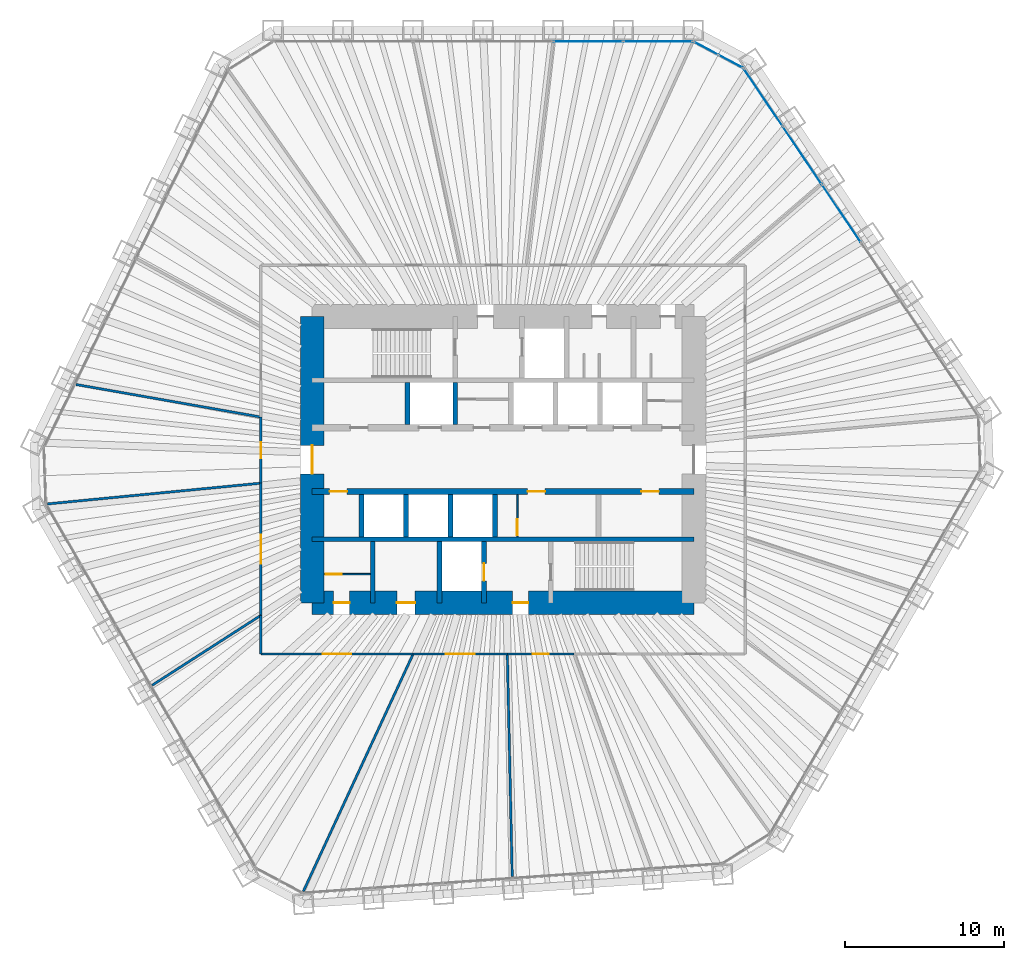
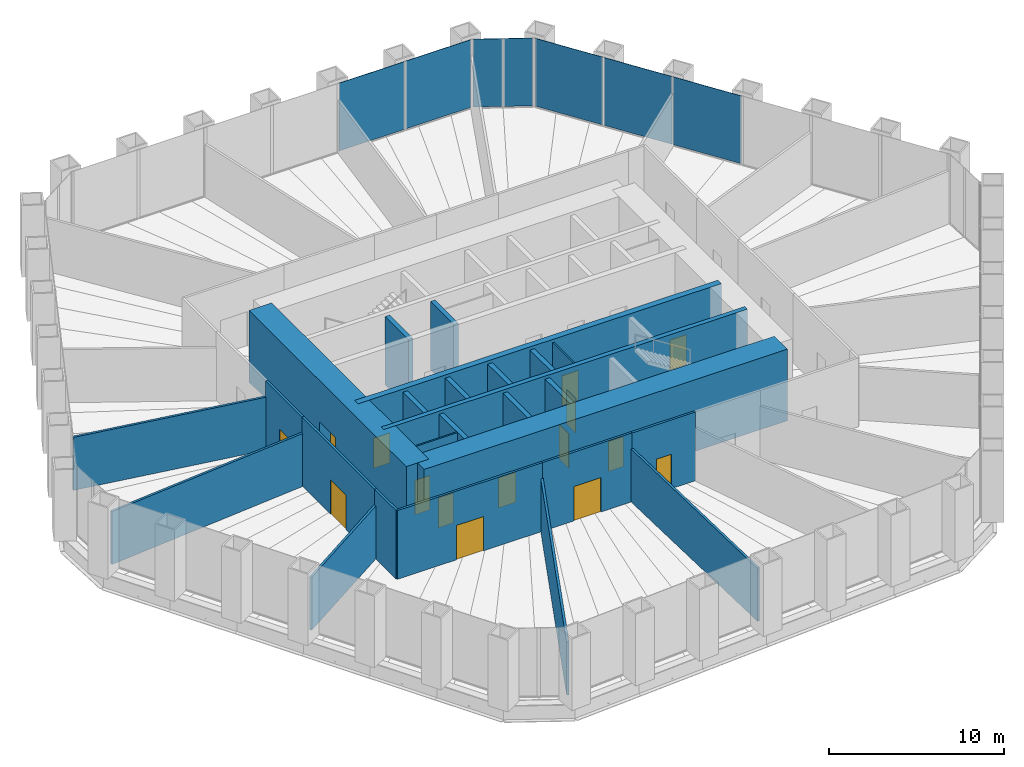
# One storey, part 10 of 13: 26 walls, 15 doors, 7 plates, 15 openings, 3 elements without a shape of their own.
"""IFC4 building model written with IfcOpenShell, lengths in metres."""

import ifcopenshell
import ifcopenshell.guid

model = None  # the IFC model being written
_history = None  # IfcOwnerHistory: only IFC2X3 demands one
_inside = {}  # id of a spatial element -> (the spatial element, [elements in it])
_under = {}  # id of a project, library or spatial element -> (it, [spatial elements below it])
_declared = {}  # id of a project -> (the project, [libraries it declares])
_typed = {}  # id of a type object -> (the type object, [elements of that type])
_made_of = {}  # id of a material, layer set ... -> (it, [elements and type objects made of it])


def new_model(schema):
    """Start an empty IFC model of exactly this schema.

    Asked for "IFC4X3", IfcOpenShell would pick the latest addendum, in which some entities
    have other attributes; the version numbers below select the first issue.
    IFC2X3 requires an IfcOwnerHistory on every rooted entity: one is made here for all.
    """
    global model, _history
    if schema == "IFC4X3":
        model = ifcopenshell.file(schema_version=(4, 3, 0, 0))
    else:
        model = ifcopenshell.file(schema=schema)
    _inside.clear()
    _under.clear()
    _declared.clear()
    _typed.clear()
    _made_of.clear()
    _history = None
    if model.schema == "IFC2X3":
        org = make("IfcOrganization", Name="unknown")
        user = make(
            "IfcPersonAndOrganization",
            ThePerson=make("IfcPerson", FamilyName="unknown"),
            TheOrganization=org,
        )
        app = make(
            "IfcApplication",
            ApplicationDeveloper=org,
            Version="unknown",
            ApplicationFullName="unknown",
            ApplicationIdentifier="unknown",
        )
        _history = make(
            "IfcOwnerHistory",
            OwningUser=user,
            OwningApplication=app,
            ChangeAction="ADDED",
            CreationDate=0,
        )
    return model


def make(cls, **values):
    """One entity of the class cls with the attributes given. An attribute that is None is left unset."""
    return model.create_entity(
        cls, **{name: value for name, value in values.items() if value is not None}
    )


def rooted(cls, **values):
    """An entity with a GlobalId (a new one), such as an element, a storey or a relation."""
    return make(cls, GlobalId=ifcopenshell.guid.new(), OwnerHistory=_history, **values)


def si_unit(unit_type, name, prefix=None):
    """IfcSIUnit, for example si_unit("LENGTHUNIT", "METRE", prefix="MILLI")."""
    return make("IfcSIUnit", UnitType=unit_type, Prefix=prefix, Name=name)


def assignment(units):
    """IfcUnitAssignment: the units of a project."""
    return None if units is None else make("IfcUnitAssignment", Units=units)


def point(xyz):
    """IfcCartesianPoint."""
    return None if xyz is None else make("IfcCartesianPoint", Coordinates=xyz)


def direction(xyz):
    """IfcDirection."""
    return None if xyz is None else make("IfcDirection", DirectionRatios=xyz)


def frame(location, z_axis=None, x_axis=None):
    """IfcAxis2Placement3D, a coordinate frame: its origin and axes. An axis left out is left unset."""
    return make(
        "IfcAxis2Placement3D",
        Location=point(location),
        Axis=direction(z_axis),
        RefDirection=direction(x_axis),
    )


def frame_2d(location, x_axis=None):
    """IfcAxis2Placement2D, a coordinate frame in the plane: its origin and x axis."""
    return make(
        "IfcAxis2Placement2D", Location=point(location), RefDirection=direction(x_axis)
    )


def origin():
    """The frame at (0, 0, 0) with its axes left unset."""
    return frame((0.0, 0.0, 0.0))


def origin_2d():
    """The frame at (0, 0) in the plane with its x axis left unset."""
    return frame_2d((0.0, 0.0))


def place(relative_to, where):
    """IfcLocalPlacement: puts the frame where relative to a parent placement (None: the world)."""
    return make(
        "IfcLocalPlacement", PlacementRelTo=relative_to, RelativePlacement=where
    )


def context(
    kind, dimensions, precision=None, world=None, true_north=None, identifier=None
):
    """IfcGeometricRepresentationContext, for example the 3D "Model" context."""
    return make(
        "IfcGeometricRepresentationContext",
        ContextIdentifier=identifier,
        ContextType=kind,
        CoordinateSpaceDimension=dimensions,
        Precision=precision,
        WorldCoordinateSystem=world,
        TrueNorth=true_north,
    )


def subcontext(parent, identifier, kind, view, scale=None):
    """IfcGeometricRepresentationSubContext, for example "Body" below "Model"."""
    return make(
        "IfcGeometricRepresentationSubContext",
        ContextIdentifier=identifier,
        ContextType=kind,
        ParentContext=parent,
        TargetScale=scale,
        TargetView=view,
    )


def project(units=None, contexts=None):
    """IfcProject with its units and contexts."""
    return rooted(
        "IfcProject",
        Name="project",
        RepresentationContexts=contexts,
        UnitsInContext=assignment(units),
    )


def spatial(cls, under=None, at=None, **own):
    """A site, building, storey or space (cls), placed at a placement, below another one or the project."""
    s = rooted(cls, ObjectPlacement=at, **own)
    if under is not None:
        _under.setdefault(under.id(), (under, []))[1].append(s)
    return s


def profile(cls, at=None, kind="AREA", **sizes):
    """A parametric profile (cls). Its sizes go by their IFC names, for example OverallWidth=200.0."""
    return make(cls, ProfileType=kind, Position=at, **sizes)


def rectangle(**sizes):
    """IfcRectangleProfileDef."""
    return profile("IfcRectangleProfileDef", **sizes)


def extrude(swept, where, along, depth):
    """IfcExtrudedAreaSolid: the profile swept, set in the frame where, extruded along a direction by depth."""
    return make(
        "IfcExtrudedAreaSolid",
        SweptArea=swept,
        Position=where,
        ExtrudedDirection=direction(along),
        Depth=depth,
    )


def shape(context_of_items, identifier, shape_type, items):
    """IfcShapeRepresentation: the items that make up one representation, for example the "Body"."""
    return make(
        "IfcShapeRepresentation",
        ContextOfItems=context_of_items,
        RepresentationIdentifier=identifier,
        RepresentationType=shape_type,
        Items=items,
    )


def material(Name=None, Category=None):
    """IfcMaterial."""
    return make("IfcMaterial", Name=Name, Category=Category)


def layer(
    of_material, thickness, ventilated=None, Name=None, Category=None, Priority=None
):
    """IfcMaterialLayer: one layer of a wall or slab, of a material (None: an air gap)."""
    return make(
        "IfcMaterialLayer",
        Material=of_material,
        LayerThickness=thickness,
        IsVentilated=ventilated,
        Name=Name,
        Category=Category,
        Priority=Priority,
    )


def layer_set(layers, Name=None):
    """IfcMaterialLayerSet."""
    return make("IfcMaterialLayerSet", MaterialLayers=layers, LayerSetName=Name)


def made_of(thing, what):
    """Note that an element or type object is made of a material, layer set ...; save() writes the relation."""
    if what is not None:
        _made_of.setdefault(what.id(), (what, []))[1].append(thing)
    return thing


def type_object(cls, material=None, **own):
    """A type object (cls), such as IfcWallType, which elements share."""
    return made_of(rooted(cls, **own), material)


def element(
    cls,
    number,
    at=None,
    inside=None,
    cuts=None,
    type_object=None,
    material=None,
    context=None,
    identifier="Body",
    shape_type=None,
    held_by="IfcProductDefinitionShape",
    body=None,
    shapes=None,
    **own,
):
    """One element of the class cls, such as IfcWall. Its Tag is "e" and its number.

    at: its placement. inside: the storey or other place that contains it. cuts: it is an
    opening in that element (IfcRelVoidsElement). A single representation is given by context,
    identifier, shape_type and body (its items); several are given by shapes. held_by: the class
    of the entity that holds the representations. save() writes the other relations.
    """
    e = rooted(cls, Tag="e%d" % number, ObjectPlacement=at, **own)
    if body is not None:
        shapes = [shape(context, identifier, shape_type, body)]
    if shapes is not None:
        e.Representation = make(held_by, Representations=shapes)
    if inside is not None:
        _inside.setdefault(inside.id(), (inside, []))[1].append(e)
    if cuts is not None:
        rooted(
            "IfcRelVoidsElement", RelatingBuildingElement=cuts, RelatedOpeningElement=e
        )
    if type_object is not None:
        _typed.setdefault(type_object.id(), (type_object, []))[1].append(e)
    return made_of(e, material)


def fill(opening, filler):
    """IfcRelFillsElement: the door or window that sits in an opening."""
    return rooted(
        "IfcRelFillsElement",
        RelatingOpeningElement=opening,
        RelatedBuildingElement=filler,
    )


def aggregate(whole, parts):
    """IfcRelAggregates: a whole, such as a stair, and the parts it consists of."""
    return rooted("IfcRelAggregates", RelatingObject=whole, RelatedObjects=parts)


def save(model, path):
    """Write the relations noted so far, then the file.

    IfcRelAggregates (storeys below a building ...), IfcRelContainedInSpatialStructure (elements
    in a storey), IfcRelDefinesByType, IfcRelAssociatesMaterial and IfcRelDeclares: one each for
    every whole, place, type object, material and project.
    """
    for whole, parts in _under.values():
        aggregate(whole, parts)
    for where, things in _inside.values():
        rooted(
            "IfcRelContainedInSpatialStructure",
            RelatedElements=things,
            RelatingStructure=where,
        )
    for kind, things in _typed.values():
        rooted("IfcRelDefinesByType", RelatedObjects=things, RelatingType=kind)
    for what, things in _made_of.values():
        rooted("IfcRelAssociatesMaterial", RelatedObjects=things, RelatingMaterial=what)
    for by, libraries in _declared.values():
        rooted("IfcRelDeclares", RelatingContext=by, RelatedDefinitions=libraries)
    model.write(path)


model = new_model("IFC4")

# Units and contexts
model_context = context("Model", 3, precision=1e-05, world=origin(), true_north=direction((0.0, 1.0)))
body_context = subcontext(model_context, "Body", "Model", "MODEL_VIEW")
ifc_project = project(units=[si_unit("LENGTHUNIT", "METRE"), si_unit("AREAUNIT", "SQUARE_METRE"), si_unit("VOLUMEUNIT", "CUBIC_METRE"), si_unit("PLANEANGLEUNIT", "RADIAN"), si_unit("MASSUNIT", "GRAM", prefix="KILO")], contexts=[model_context])

# Site, building, storey
site_placement = place(None, origin())
site = spatial("IfcSite", under=ifc_project, at=site_placement, CompositionType="ELEMENT")
building_placement = place(site_placement, origin())
building = spatial("IfcBuilding", under=site, at=building_placement, Name="Qingtian Harvest Tower", CompositionType="ELEMENT")
storey_placement = place(building_placement, frame((0.0, 0.0, 67.0)))
storey = spatial("IfcBuildingStorey", under=building, at=storey_placement, Name="L13", CompositionType="ELEMENT", Elevation=67.0)

# Curtain wall, plates
ifc_material_1 = material(Name="Bronze-anodised aluminium curtain wall", Category="aluminium")
curtain_wall_type = type_object("IfcCurtainWallType", Name="Curtain wall CW2 farm reception", PredefinedType="USERDEFINED", material=ifc_material_1)
curtain_wall_1_placement = place(storey_placement, origin())
curtain_wall_1 = element("IfcCurtainWall", 1, at=curtain_wall_1_placement, inside=storey, type_object=curtain_wall_type, Name="Curtain wall CW2 L13 N0-5", ObjectType="RECESSED CURTAIN WALL", PredefinedType="USERDEFINED")
ifc_material_2 = material(Name="Bronze-tinted laminated insulating glass", Category="glass")
ifc_layer_1 = layer(ifc_material_2, 0.030029296875)
ifc_layer_set_1 = layer_set([ifc_layer_1], Name="Glazed panel CWP tinted IGU")
plate_type = type_object("IfcPlateType", Name="Glazed panel CWP tinted IGU", PredefinedType="CURTAIN_PANEL", material=ifc_layer_set_1)
plate_1_placement = place(storey_placement, frame((5.349365234375, 26.300048828125, 0.06494140625), z_axis=(0.0, 0.0, 1.0), x_axis=(1.0, 0.0, 0.0)))
plate_1 = element("IfcPlate", 2, at=plate_1_placement, type_object=plate_type, Name="CW2 panel 5.1", PredefinedType="CURTAIN_PANEL", context=body_context, shape_type="SweptSolid", body=[
    extrude(rectangle(XDim=4.339599609375, YDim=0.030029296875, at=origin_2d()), origin(), (0.0, 0.0, 1.0), 4.735107421875),
])
plate_2_placement = place(storey_placement, frame((9.737548828125, 26.300048828125, 0.06494140625), z_axis=(0.0, 0.0, 1.0), x_axis=(1.0, 0.0, 0.0)))
plate_2 = element("IfcPlate", 3, at=plate_2_placement, type_object=plate_type, Name="CW2 panel 6.1", PredefinedType="CURTAIN_PANEL", context=body_context, shape_type="SweptSolid", body=[
    extrude(rectangle(XDim=4.30712890625, YDim=0.030029296875, at=origin_2d()), origin(), (0.0, 0.0, 1.0), 4.735107421875),
])
aggregate(curtain_wall_1, [plate_1, plate_2])

curtain_wall_2_placement = place(storey_placement, origin())
curtain_wall_2 = element("IfcCurtainWall", 4, at=curtain_wall_2_placement, inside=storey, type_object=curtain_wall_type, Name="Curtain wall CW2 L13 NC", ObjectType="RECESSED CURTAIN WALL", PredefinedType="USERDEFINED")
plate_3_placement = place(storey_placement, frame((12.760986328125, 25.8720703125, 0.06494140625), z_axis=(0.0, 0.0, 1.0), x_axis=(0.882947592859, -0.469471562786, 0.0)))
plate_3 = element("IfcPlate", 5, at=plate_3_placement, type_object=plate_type, Name="CW2 panel 1.1", PredefinedType="CURTAIN_PANEL", context=body_context, shape_type="SweptSolid", body=[
    extrude(rectangle(XDim=1.69287109375, YDim=0.030029296875, at=origin_2d()), origin(), (0.0, 0.0, 1.0), 4.735107421875),
])
plate_4_placement = place(storey_placement, frame((14.31298828125, 25.046875, 0.06494140625), z_axis=(0.0, 0.0, 1.0), x_axis=(0.882947592859, -0.469471562786, 0.0)))
plate_4 = element("IfcPlate", 6, at=plate_4_placement, type_object=plate_type, Name="CW2 panel 2.1", PredefinedType="CURTAIN_PANEL", context=body_context, shape_type="SweptSolid", body=[
    extrude(rectangle(XDim=1.69287109375, YDim=0.030029296875, at=origin_2d()), origin(), (0.0, 0.0, 1.0), 4.735107421875),
])
aggregate(curtain_wall_2, [plate_3, plate_4])

curtain_wall_3_placement = place(storey_placement, origin())
curtain_wall_3 = element("IfcCurtainWall", 7, at=curtain_wall_3_placement, inside=storey, type_object=curtain_wall_type, Name="Curtain wall CW2 L13 NE0-5", ObjectType="RECESSED CURTAIN WALL", PredefinedType="USERDEFINED")
plate_5_placement = place(storey_placement, frame((16.3583984375, 22.779541015625, 0.06494140625), z_axis=(0.0, 0.0, 1.0), x_axis=(0.559192903471, -0.829037572555, 0.0)))
plate_5 = element("IfcPlate", 8, at=plate_5_placement, type_object=plate_type, Name="CW2 panel 1.1", PredefinedType="CURTAIN_PANEL", context=body_context, shape_type="SweptSolid", body=[
    extrude(rectangle(XDim=4.30712890625, YDim=0.030029296875, at=origin_2d()), origin(), (0.0, 0.0, 1.0), 4.735107421875),
])
plate_6_placement = place(storey_placement, frame((18.8125, 19.1416015625, 0.06494140625), z_axis=(0.0, 0.0, 1.0), x_axis=(0.559192903471, -0.829037572555, 0.0)))
plate_6 = element("IfcPlate", 9, at=plate_6_placement, type_object=plate_type, Name="CW2 panel 2.1", PredefinedType="CURTAIN_PANEL", context=body_context, shape_type="SweptSolid", body=[
    extrude(rectangle(XDim=4.339599609375, YDim=0.030029296875, at=origin_2d()), origin(), (0.0, 0.0, 1.0), 4.735107421875),
])
plate_7_placement = place(storey_placement, frame((21.275390625, 15.489990234375, 0.06494140625), z_axis=(0.0, 0.0, 1.0), x_axis=(0.559192903471, -0.829037572555, 0.0)))
plate_7 = element("IfcPlate", 10, at=plate_7_placement, type_object=plate_type, Name="CW2 panel 3.1", PredefinedType="CURTAIN_PANEL", context=body_context, shape_type="SweptSolid", body=[
    extrude(rectangle(XDim=4.339599609375, YDim=0.030029296875, at=origin_2d()), origin(), (0.0, 0.0, 1.0), 4.735107421875),
])
aggregate(curtain_wall_3, [plate_5, plate_6, plate_7])

# Wall
ifc_material_3 = material(Name="Concrete fc' 70 MPa", Category="concrete")
ifc_layer_2 = layer(ifc_material_3, 0.300048828125)
ifc_layer_set_2 = layer_set([ifc_layer_2], Name="Core inner wall RC5 300")
wall_type_1 = type_object("IfcWallType", Name="Core inner wall RC5 300", PredefinedType="SHEAR", material=ifc_layer_set_2)
wall_1_placement = place(storey_placement, frame((-12.0, -5.0, 0.0), z_axis=(0.0, 0.0, 1.0), x_axis=(1.0, 0.0, 0.0)))
element("IfcWall", 11, at=wall_1_placement, inside=storey, type_object=wall_type_1, Name="Core wall IS5 L13", PredefinedType="SHEAR", context=body_context, shape_type="SweptSolid", body=[
    extrude(rectangle(XDim=24.0, YDim=0.300048828125, at=frame_2d((12.0, 0.0))), origin(), (0.0, 0.0, 1.0), 5.0),
])

# Wall, openings, doors
ifc_material_4 = material(Name="Concrete fc' 70 MPa", Category="concrete")
ifc_layer_3 = layer(ifc_material_4, 0.39990234375)
ifc_layer_set_3 = layer_set([ifc_layer_3], Name="Core inner web RC6 400")
wall_type_2 = type_object("IfcWallType", Name="Core inner web RC6 400", PredefinedType="SHEAR", material=ifc_layer_set_3)
wall_2_placement = place(storey_placement, frame((-12.0, -2.0, 0.0), z_axis=(0.0, 0.0, 1.0), x_axis=(1.0, 0.0, 0.0)))
wall_2 = element("IfcWall", 12, at=wall_2_placement, inside=storey, type_object=wall_type_2, Name="Core wall IS2 L13", PredefinedType="SHEAR", context=body_context, shape_type="SweptSolid", body=[
    extrude(rectangle(XDim=24.0, YDim=0.39990234375, at=frame_2d((12.0, 0.0))), origin(), (0.0, 0.0, 1.0), 5.0),
])
opening_1_placement = place(wall_2_placement, frame((1.10009765625, 0.0, 0.0)))
opening_1 = element("IfcOpeningElement", 13, at=opening_1_placement, cuts=wall_2, Name="Opening FD4", PredefinedType="OPENING", context=body_context, shape_type="SweptSolid", body=[
    extrude(rectangle(XDim=1.10009765625, YDim=2.10009765625, at=frame_2d((0.550048828125, 1.050048828125))), frame((0.0, 0.2099609375, 0.0), z_axis=(0.0, -1.0, 0.0), x_axis=(1.0, 0.0, 0.0)), (0.0, 0.0, 1.0), 0.419921875),
])
opening_2_placement = place(wall_2_placement, frame((13.550048828125, 0.0, 0.0)))
opening_2 = element("IfcOpeningElement", 14, at=opening_2_placement, cuts=wall_2, Name="Opening FD4", PredefinedType="OPENING", context=body_context, shape_type="SweptSolid", body=[
    extrude(rectangle(XDim=1.10009765625, YDim=2.10009765625, at=frame_2d((0.550048828125, 1.050048828125))), frame((0.0, 0.2099609375, 0.0), z_axis=(0.0, -1.0, 0.0), x_axis=(1.0, 0.0, 0.0)), (0.0, 0.0, 1.0), 0.419921875),
])
opening_3_placement = place(wall_2_placement, frame((20.699951171875, 0.0, 0.0)))
opening_3 = element("IfcOpeningElement", 15, at=opening_3_placement, cuts=wall_2, Name="Opening FD4", PredefinedType="OPENING", context=body_context, shape_type="SweptSolid", body=[
    extrude(rectangle(XDim=1.10009765625, YDim=2.10009765625, at=frame_2d((0.550048828125, 1.050048828125))), frame((0.0, 0.2099609375, 0.0), z_axis=(0.0, -1.0, 0.0), x_axis=(1.0, 0.0, 0.0)), (0.0, 0.0, 1.0), 0.419921875),
])
ifc_material_5 = material(Name="Steel-faced door leaf", Category="steel")
door_type_1 = type_object("IfcDoorType", Name="Fire door FD4 single 2 HR", OperationType="SINGLE_SWING_LEFT", PredefinedType="DOOR", material=ifc_material_5)
door_1_placement = place(opening_1_placement, origin())
door_1 = element("IfcDoor", 16, at=door_1_placement, inside=storey, type_object=door_type_1, Name="RB door L13", OperationType="SINGLE_SWING_LEFT", OverallHeight=2.10009765625, OverallWidth=1.10009765625, PredefinedType="DOOR", context=body_context, shape_type="SweptSolid", body=[
    extrude(rectangle(XDim=1.10009765625, YDim=2.10009765625, at=frame_2d((0.550048828125, 1.050048828125))), frame((0.0, 0.02490234375, 0.0), z_axis=(0.0, -1.0, 0.0), x_axis=(1.0, 0.0, 0.0)), (0.0, 0.0, 1.0), 0.050048828125),
])
fill(opening_1, door_1)
door_2_placement = place(opening_2_placement, origin())
door_2 = element("IfcDoor", 17, at=door_2_placement, inside=storey, type_object=door_type_1, Name="ELEC door L13", OperationType="SINGLE_SWING_RIGHT", OverallHeight=2.10009765625, OverallWidth=1.10009765625, PredefinedType="DOOR", context=body_context, shape_type="SweptSolid", body=[
    extrude(rectangle(XDim=1.10009765625, YDim=2.10009765625, at=frame_2d((0.550048828125, 1.050048828125))), frame((0.0, 0.02490234375, 0.0), z_axis=(0.0, -1.0, 0.0), x_axis=(1.0, 0.0, 0.0)), (0.0, 0.0, 1.0), 0.050048828125),
])
fill(opening_2, door_2)
door_3_placement = place(opening_3_placement, origin())
door_3 = element("IfcDoor", 18, at=door_3_placement, inside=storey, type_object=door_type_1, Name="DUCT door L13", OperationType="SINGLE_SWING_LEFT", OverallHeight=2.10009765625, OverallWidth=1.10009765625, PredefinedType="DOOR", context=body_context, shape_type="SweptSolid", body=[
    extrude(rectangle(XDim=1.10009765625, YDim=2.10009765625, at=frame_2d((0.550048828125, 1.050048828125))), frame((0.0, 0.02490234375, 0.0), z_axis=(0.0, -1.0, 0.0), x_axis=(1.0, 0.0, 0.0)), (0.0, 0.0, 1.0), 0.050048828125),
])
fill(opening_3, door_3)

# Walls
ifc_material_6 = material(Name="Precast concrete shaft panel", Category="concrete")
ifc_layer_4 = layer(ifc_material_6, 0.300048828125)
ifc_layer_set_4 = layer_set([ifc_layer_4], Name="Core shaft partition SW1 300")
wall_type_3 = type_object("IfcWallType", Name="Core shaft partition SW1 300", PredefinedType="PARTITIONING", material=ifc_layer_set_4)
for number, where, z_axis, x_axis, name in (
    (19, (-6.0, 2.199951171875, 0.0), (0.0, 0.0, 1.0), (0.0, 1.0, 0.0), "Core shaft partition XA1 L13"),
    (20, (-3.0, 2.199951171875, 0.0), (0.0, 0.0, 1.0), (0.0, 1.0, 0.0), "Core shaft partition XA2 L13"),
    (21, (-8.89990234375, -4.85009765625, 0.0), (0.0, 0.0, 1.0), (0.0, 1.0, 0.0), "Core shaft partition XB1 L13"),
    (22, (-6.10009765625, -4.85009765625, 0.0), (0.0, 0.0, 1.0), (0.0, 1.0, 0.0), "Core shaft partition XB2 L13"),
    (23, (-3.300048828125, -4.85009765625, 0.0), (0.0, 0.0, 1.0), (0.0, 1.0, 0.0), "Core shaft partition XB3 L13"),
    (24, (-0.5, -4.85009765625, 0.0), (0.0, 0.0, 1.0), (0.0, 1.0, 0.0), "Core shaft partition XB4 L13"),
):
    element("IfcWall", number, at=place(storey_placement, frame(where, z_axis=z_axis, x_axis=x_axis)), inside=storey, type_object=wall_type_3, Name=name, PredefinedType="PARTITIONING", context=body_context, shape_type="SweptSolid", body=[
        extrude(rectangle(XDim=2.650146484375, YDim=0.300048828125, at=frame_2d((1.3251953125, 0.0))), origin(), (0.0, 0.0, 1.0), 4.780029296875),
    ])
for number, where, z_axis, x_axis, name in (
    (25, (-8.199951171875, -9.0, 0.0), (0.0, 0.0, 1.0), (0.0, 1.0, 0.0), "Core shaft partition XS1 L13"),
    (26, (-4.0, -9.0, 0.0), (0.0, 0.0, 1.0), (0.0, 1.0, 0.0), "Core shaft partition XS2 L13"),
):
    element("IfcWall", number, at=place(storey_placement, frame(where, z_axis=z_axis, x_axis=x_axis)), inside=storey, type_object=wall_type_3, Name=name, PredefinedType="PARTITIONING", context=body_context, shape_type="SweptSolid", body=[
        extrude(rectangle(XDim=3.85009765625, YDim=0.300048828125, at=frame_2d((1.925048828125, 0.0))), origin(), (0.0, 0.0, 1.0), 4.780029296875),
    ])

# Wall, opening, door
wall_3_placement = place(storey_placement, frame((-1.199951171875, -9.0, 0.0), z_axis=(0.0, 0.0, 1.0), x_axis=(0.0, 1.0, 0.0)))
wall_3 = element("IfcWall", 27, at=wall_3_placement, inside=storey, type_object=wall_type_3, Name="Core shaft partition XS3 L13", PredefinedType="PARTITIONING", context=body_context, shape_type="SweptSolid", body=[
    extrude(rectangle(XDim=3.85009765625, YDim=0.300048828125, at=frame_2d((1.925048828125, 0.0))), origin(), (0.0, 0.0, 1.0), 4.780029296875),
])
opening_4_placement = place(wall_3_placement, frame((1.375, 0.0, 0.0)))
opening_4 = element("IfcOpeningElement", 28, at=opening_4_placement, cuts=wall_3, Name="Opening LD1", PredefinedType="OPENING", context=body_context, shape_type="SweptSolid", body=[
    extrude(rectangle(XDim=1.10009765625, YDim=2.39990234375, at=frame_2d((0.550048828125, 1.199951171875))), frame((0.0, 0.159912109375, 0.0), z_axis=(0.0, -1.0, 0.0), x_axis=(1.0, 0.0, 0.0)), (0.0, 0.0, 1.0), 0.320068359375),
])
ifc_material_7 = material(Name="Stainless steel lift landing door", Category="steel")
door_type_2 = type_object("IfcDoorType", Name="Lift landing door LD1 1 HR", OperationType="DOUBLE_DOOR_SLIDING", PredefinedType="DOOR", material=ifc_material_7)
door_4_placement = place(opening_4_placement, origin())
door_4 = element("IfcDoor", 29, at=door_4_placement, inside=storey, type_object=door_type_2, Name="FL2 landing door L13", OperationType="DOUBLE_DOOR_SLIDING", OverallHeight=2.39990234375, OverallWidth=1.10009765625, PredefinedType="DOOR", context=body_context, shape_type="SweptSolid", body=[
    extrude(rectangle(XDim=1.10009765625, YDim=2.39990234375, at=frame_2d((0.550048828125, 1.199951171875))), frame((0.0, 0.02490234375, 0.0), z_axis=(0.0, -1.0, 0.0), x_axis=(1.0, 0.0, 0.0)), (0.0, 0.0, 1.0), 0.050048828125),
])
fill(opening_4, door_4)

# Wall, openings, doors
ifc_material_8 = material(Name="Concrete fc' 70 MPa", Category="concrete")
ifc_layer_5 = layer(ifc_material_8, 1.5)
ifc_layer_set_5 = layer_set([ifc_layer_5], Name="Core wall RC1 1500")
wall_type_4 = type_object("IfcWallType", Name="Core wall RC1 1500", PredefinedType="SHEAR", material=ifc_layer_set_5)
wall_4_placement = place(storey_placement, frame((-12.0, -9.0, 0.0), z_axis=(0.0, 0.0, 1.0), x_axis=(1.0, 0.0, 0.0)))
wall_4 = element("IfcWall", 30, at=wall_4_placement, inside=storey, type_object=wall_type_4, Name="Core wall CS L13", PredefinedType="SHEAR", context=body_context, shape_type="SweptSolid", body=[
    extrude(rectangle(XDim=24.0, YDim=1.5, at=frame_2d((12.0, 0.0))), origin(), (0.0, 0.0, 1.0), 5.0),
])
opening_5_placement = place(wall_4_placement, frame((1.35009765625, 0.0, 0.0)))
opening_5 = element("IfcOpeningElement", 31, at=opening_5_placement, cuts=wall_4, Name="Opening FD1", PredefinedType="OPENING", context=body_context, shape_type="SweptSolid", body=[
    extrude(rectangle(XDim=1.0, YDim=2.10009765625, at=frame_2d((0.5, 1.050048828125))), frame((0.0, 0.760009765625, 0.0), z_axis=(0.0, -1.0, 0.0), x_axis=(1.0, 0.0, 0.0)), (0.0, 0.0, 1.0), 1.52001953125),
])
opening_6_placement = place(wall_4_placement, frame((5.324951171875, 0.0, 0.0)))
opening_6 = element("IfcOpeningElement", 32, at=opening_6_placement, cuts=wall_4, Name="Opening AD1", PredefinedType="OPENING", context=body_context, shape_type="SweptSolid", body=[
    extrude(rectangle(XDim=1.14990234375, YDim=2.10009765625, at=frame_2d((0.574951171875, 1.050048828125))), frame((0.0, 0.760009765625, 0.0), z_axis=(0.0, -1.0, 0.0), x_axis=(1.0, 0.0, 0.0)), (0.0, 0.0, 1.0), 1.52001953125),
])
opening_7_placement = place(wall_4_placement, frame((12.60009765625, 0.0, 0.0)))
opening_7 = element("IfcOpeningElement", 33, at=opening_7_placement, cuts=wall_4, Name="Opening FD1", PredefinedType="OPENING", context=body_context, shape_type="SweptSolid", body=[
    extrude(rectangle(XDim=1.0, YDim=2.10009765625, at=frame_2d((0.5, 1.050048828125))), frame((0.0, 0.760009765625, 0.0), z_axis=(0.0, -1.0, 0.0), x_axis=(1.0, 0.0, 0.0)), (0.0, 0.0, 1.0), 1.52001953125),
])
ifc_material_9 = material(Name="Laminated timber door leaf", Category="wood")
door_type_3 = type_object("IfcDoorType", Name="Accessible WC door AD1 single", OperationType="SINGLE_SWING_LEFT", PredefinedType="DOOR", material=ifc_material_9)
door_5_placement = place(opening_6_placement, origin())
door_5 = element("IfcDoor", 34, at=door_5_placement, inside=storey, type_object=door_type_3, Name="AWC door L13", OperationType="SINGLE_SWING_LEFT", OverallHeight=2.10009765625, OverallWidth=1.14990234375, PredefinedType="DOOR", context=body_context, shape_type="SweptSolid", body=[
    extrude(rectangle(XDim=1.14990234375, YDim=2.10009765625, at=frame_2d((0.574951171875, 1.050048828125))), frame((0.0, 0.02490234375, 0.0), z_axis=(0.0, -1.0, 0.0), x_axis=(1.0, 0.0, 0.0)), (0.0, 0.0, 1.0), 0.050048828125),
])
fill(opening_6, door_5)
ifc_material_10 = material(Name="Steel-faced door leaf", Category="steel")
door_type_4 = type_object("IfcDoorType", Name="Fire door FD1 single 1 HR", OperationType="SINGLE_SWING_LEFT", PredefinedType="DOOR", material=ifc_material_10)
door_6_placement = place(opening_5_placement, origin())
door_6 = element("IfcDoor", 35, at=door_6_placement, inside=storey, type_object=door_type_4, Name="CLN door L13", OperationType="SINGLE_SWING_RIGHT", OverallHeight=2.10009765625, OverallWidth=1.0, PredefinedType="DOOR", context=body_context, shape_type="SweptSolid", body=[
    extrude(rectangle(XDim=1.0, YDim=2.10009765625, at=frame_2d((0.5, 1.050048828125))), frame((0.0, 0.02490234375, 0.0), z_axis=(0.0, -1.0, 0.0), x_axis=(1.0, 0.0, 0.0)), (0.0, 0.0, 1.0), 0.050048828125),
])
fill(opening_5, door_6)
door_7_placement = place(opening_7_placement, origin())
door_7 = element("IfcDoor", 36, at=door_7_placement, inside=storey, type_object=door_type_4, Name="V2 door L13", OperationType="SINGLE_SWING_RIGHT", OverallHeight=2.10009765625, OverallWidth=1.0, PredefinedType="DOOR", context=body_context, shape_type="SweptSolid", body=[
    extrude(rectangle(XDim=1.0, YDim=2.10009765625, at=frame_2d((0.5, 1.050048828125))), frame((0.0, 0.02490234375, 0.0), z_axis=(0.0, -1.0, 0.0), x_axis=(1.0, 0.0, 0.0)), (0.0, 0.0, 1.0), 0.050048828125),
])
fill(opening_7, door_7)

# Wall, opening, door
wall_5_placement = place(storey_placement, frame((-12.0, -9.0, 0.0), z_axis=(0.0, 0.0, 1.0), x_axis=(0.0, 1.0, 0.0)))
wall_5 = element("IfcWall", 37, at=wall_5_placement, inside=storey, type_object=wall_type_4, Name="Core wall CW L13", PredefinedType="SHEAR", context=body_context, shape_type="SweptSolid", body=[
    extrude(rectangle(XDim=18.0, YDim=1.5, at=frame_2d((9.0, 0.0))), origin(), (0.0, 0.0, 1.0), 5.0),
])
opening_8_placement = place(wall_5_placement, frame((8.10009765625, 0.0, 0.0)))
opening_8 = element("IfcOpeningElement", 38, at=opening_8_placement, cuts=wall_5, Name="Opening FD2", PredefinedType="OPENING", context=body_context, shape_type="SweptSolid", body=[
    extrude(rectangle(XDim=1.800048828125, YDim=2.10009765625, at=frame_2d((0.89990234375, 1.050048828125))), frame((0.0, 0.760009765625, 0.0), z_axis=(0.0, -1.0, 0.0), x_axis=(1.0, 0.0, 0.0)), (0.0, 0.0, 1.0), 1.52001953125),
])
ifc_material_11 = material(Name="Steel-faced door leaf", Category="steel")
door_type_5 = type_object("IfcDoorType", Name="Fire door FD2 double 1 HR", OperationType="DOUBLE_DOOR_DOUBLE_SWING", PredefinedType="DOOR", material=ifc_material_11)
door_8_placement = place(opening_8_placement, origin())
door_8 = element("IfcDoor", 39, at=door_8_placement, inside=storey, type_object=door_type_5, Name="LOBBY-W door L13", OperationType="DOUBLE_DOOR_DOUBLE_SWING", OverallHeight=2.10009765625, OverallWidth=1.800048828125, PredefinedType="DOOR", context=body_context, shape_type="SweptSolid", body=[
    extrude(rectangle(XDim=1.800048828125, YDim=2.10009765625, at=frame_2d((0.89990234375, 1.050048828125))), frame((0.0, 0.02490234375, 0.0), z_axis=(0.0, -1.0, 0.0), x_axis=(1.0, 0.0, 0.0)), (0.0, 0.0, 1.0), 0.050048828125),
])
fill(opening_8, door_8)

ifc_material_12 = material(Name="Gypsum board on steel studs", Category="steel")
ifc_layer_6 = layer(ifc_material_12, 0.14990234375)
ifc_layer_set_6 = layer_set([ifc_layer_6], Name="Partition PT1 150")
wall_type_5 = type_object("IfcWallType", Name="Partition PT1 150", PredefinedType="PARTITIONING", material=ifc_layer_set_6)
wall_6_placement = place(storey_placement, frame((4.45458984375, -12.22509765625, 0.0), z_axis=(0.0, 0.0, 1.0), x_axis=(-1.0, 0.0, 0.0)))
wall_6 = element("IfcWall", 40, at=wall_6_placement, inside=storey, type_object=wall_type_5, Name="Mushroom growing room wall L13", PredefinedType="PARTITIONING", context=body_context, shape_type="SweptSolid", body=[
    extrude(rectangle(XDim=4.185302734375, YDim=0.14990234375, at=frame_2d((2.0927734375, 0.0))), origin(), (0.0, 0.0, 1.0), 4.800048828125),
])
opening_9_placement = place(wall_6_placement, frame((1.592529296875, 0.0, 0.0)))
opening_9 = element("IfcOpeningElement", 41, at=opening_9_placement, cuts=wall_6, Name="Opening D2", PredefinedType="OPENING", context=body_context, shape_type="SweptSolid", body=[
    extrude(rectangle(XDim=1.0, YDim=2.39990234375, at=frame_2d((0.5, 1.199951171875))), frame((0.0, 0.0849609375, 0.0), z_axis=(0.0, -1.0, 0.0), x_axis=(1.0, 0.0, 0.0)), (0.0, 0.0, 1.0), 0.169921875),
])
ifc_material_13 = material(Name="Laminated timber door leaf", Category="wood")
door_type_6 = type_object("IfcDoorType", Name="Room door D2 single", OperationType="SINGLE_SWING_LEFT", PredefinedType="DOOR", material=ifc_material_13)
door_9_placement = place(opening_9_placement, origin())
door_9 = element("IfcDoor", 42, at=door_9_placement, inside=storey, type_object=door_type_6, Name="Mushroom growing room door L13", OperationType="SINGLE_SWING_LEFT", OverallHeight=2.39990234375, OverallWidth=1.0, PredefinedType="DOOR", context=body_context, shape_type="SweptSolid", body=[
    extrude(rectangle(XDim=1.0, YDim=2.39990234375, at=frame_2d((0.5, 1.199951171875))), frame((0.0, 0.02490234375, 0.0), z_axis=(0.0, -1.0, 0.0), x_axis=(1.0, 0.0, 0.0)), (0.0, 0.0, 1.0), 0.050048828125),
])
fill(opening_9, door_9)

# Wall
wall_7_placement = place(storey_placement, frame((0.577880859375, -26.2236328125, 0.0), z_axis=(0.0, 0.0, 1.0), x_axis=(-0.022039362711, 0.999757103746, 0.0)))
element("IfcWall", 43, at=wall_7_placement, inside=storey, type_object=wall_type_5, Name="Mushroom growing room wall L13", PredefinedType="PARTITIONING", context=body_context, shape_type="SweptSolid", body=[
    extrude(rectangle(XDim=14.001953125, YDim=0.14990234375, at=frame_2d((7.0009765625, 0.0))), origin(), (0.0, 0.0, 1.0), 3.699951171875),
])

# Wall, opening, door
wall_8_placement = place(storey_placement, frame((0.269287109375, -12.22509765625, 0.0), z_axis=(0.0, 0.0, 1.0), x_axis=(-1.0, 0.0, 0.0)))
wall_8 = element("IfcWall", 44, at=wall_8_placement, inside=storey, type_object=wall_type_5, Name="Mushroom growing room wall L13", PredefinedType="PARTITIONING", context=body_context, shape_type="SweptSolid", body=[
    extrude(rectangle(XDim=5.923583984375, YDim=0.14990234375, at=frame_2d((2.9619140625, 0.0))), origin(), (0.0, 0.0, 1.0), 4.800048828125),
])
opening_10_placement = place(wall_8_placement, frame((2.061767578125, 0.0, 0.0)))
opening_10 = element("IfcOpeningElement", 45, at=opening_10_placement, cuts=wall_8, Name="Opening D3", PredefinedType="OPENING", context=body_context, shape_type="SweptSolid", body=[
    extrude(rectangle(XDim=1.800048828125, YDim=2.39990234375, at=frame_2d((0.89990234375, 1.199951171875))), frame((0.0, 0.0849609375, 0.0), z_axis=(0.0, -1.0, 0.0), x_axis=(1.0, 0.0, 0.0)), (0.0, 0.0, 1.0), 0.169921875),
])
ifc_material_14 = material(Name="Laminated timber door leaf", Category="wood")
door_type_7 = type_object("IfcDoorType", Name="Room door D3 double", OperationType="DOUBLE_DOOR_DOUBLE_SWING", PredefinedType="DOOR", material=ifc_material_14)
door_10_placement = place(opening_10_placement, origin())
door_10 = element("IfcDoor", 46, at=door_10_placement, inside=storey, type_object=door_type_7, Name="Mushroom growing room door L13", OperationType="DOUBLE_DOOR_DOUBLE_SWING", OverallHeight=2.39990234375, OverallWidth=1.800048828125, PredefinedType="DOOR", context=body_context, shape_type="SweptSolid", body=[
    extrude(rectangle(XDim=1.800048828125, YDim=2.39990234375, at=frame_2d((0.89990234375, 1.199951171875))), frame((0.0, 0.02490234375, 0.0), z_axis=(0.0, -1.0, 0.0), x_axis=(1.0, 0.0, 0.0)), (0.0, 0.0, 1.0), 0.050048828125),
])
fill(opening_10, door_10)

# Wall
wall_9_placement = place(storey_placement, frame((-12.5595703125, -27.154541015625, 0.0), z_axis=(0.0, 0.0, 1.0), x_axis=(0.419797833376, 0.907617639258, 0.0)))
element("IfcWall", 47, at=wall_9_placement, inside=storey, type_object=wall_type_5, Name="Substrate store wall L13", PredefinedType="PARTITIONING", context=body_context, shape_type="SweptSolid", body=[
    extrude(rectangle(XDim=16.448974609375, YDim=0.14990234375, at=frame_2d((8.224609375, 0.0))), origin(), (0.0, 0.0, 1.0), 3.699951171875),
])

# Wall, opening, door
wall_10_placement = place(storey_placement, frame((-5.654296875, -12.22509765625, 0.0), z_axis=(0.0, 0.0, 1.0), x_axis=(-1.0, 0.0, 0.0)))
wall_10 = element("IfcWall", 48, at=wall_10_placement, inside=storey, type_object=wall_type_5, Name="Substrate store wall L13", PredefinedType="PARTITIONING", context=body_context, shape_type="SweptSolid", body=[
    extrude(rectangle(XDim=9.57080078125, YDim=0.14990234375, at=frame_2d((4.785400390625, 0.0))), origin(), (0.0, 0.0, 1.0), 4.800048828125),
])
opening_11_placement = place(wall_10_placement, frame((3.88525390625, 0.0, 0.0)))
opening_11 = element("IfcOpeningElement", 49, at=opening_11_placement, cuts=wall_10, Name="Opening D3", PredefinedType="OPENING", context=body_context, shape_type="SweptSolid", body=[
    extrude(rectangle(XDim=1.800048828125, YDim=2.39990234375, at=frame_2d((0.89990234375, 1.199951171875))), frame((0.0, 0.0849609375, 0.0), z_axis=(0.0, -1.0, 0.0), x_axis=(1.0, 0.0, 0.0)), (0.0, 0.0, 1.0), 0.169921875),
])
door_11_placement = place(opening_11_placement, origin())
door_11 = element("IfcDoor", 50, at=door_11_placement, inside=storey, type_object=door_type_7, Name="Substrate store door L13", OperationType="DOUBLE_DOOR_DOUBLE_SWING", OverallHeight=2.39990234375, OverallWidth=1.800048828125, PredefinedType="DOOR", context=body_context, shape_type="SweptSolid", body=[
    extrude(rectangle(XDim=1.800048828125, YDim=2.39990234375, at=frame_2d((0.89990234375, 1.199951171875))), frame((0.0, 0.02490234375, 0.0), z_axis=(0.0, -1.0, 0.0), x_axis=(1.0, 0.0, 0.0)), (0.0, 0.0, 1.0), 0.050048828125),
])
fill(opening_11, door_11)

# Walls
wall_11_placement = place(storey_placement, frame((-15.22509765625, -12.22509765625, 0.0), z_axis=(0.0, 0.0, 1.0), x_axis=(0.0, 1.0, 0.0)))
element("IfcWall", 51, at=wall_11_placement, inside=storey, type_object=wall_type_5, Name="Substrate store wall L13", PredefinedType="PARTITIONING", context=body_context, shape_type="SweptSolid", body=[
    extrude(rectangle(XDim=2.4365234375, YDim=0.14990234375, at=frame_2d((1.21826171875, 0.0))), origin(), (0.0, 0.0, 1.0), 4.800048828125),
])
wall_12_placement = place(storey_placement, frame((-22.0634765625, -14.18505859375, 0.0), z_axis=(0.0, 0.0, 1.0), x_axis=(0.8411570088, 0.540790982309, 0.0)))
element("IfcWall", 52, at=wall_12_placement, inside=storey, type_object=wall_type_5, Name="Pasteurisation room wall L13", PredefinedType="PARTITIONING", context=body_context, shape_type="SweptSolid", body=[
    extrude(rectangle(XDim=8.129638671875, YDim=0.14990234375, at=frame_2d((4.06494140625, 0.0))), origin(), (0.0, 0.0, 1.0), 3.699951171875),
])

# Wall, opening, door
wall_13_placement = place(storey_placement, frame((-15.22509765625, -9.78857421875, 0.0), z_axis=(0.0, 0.0, 1.0), x_axis=(0.0, 1.0, 0.0)))
wall_13 = element("IfcWall", 53, at=wall_13_placement, inside=storey, type_object=wall_type_5, Name="Pasteurisation room wall L13", PredefinedType="PARTITIONING", context=body_context, shape_type="SweptSolid", body=[
    extrude(rectangle(XDim=8.308349609375, YDim=0.14990234375, at=frame_2d((4.154296875, 0.0))), origin(), (0.0, 0.0, 1.0), 4.800048828125),
])
opening_12_placement = place(wall_13_placement, frame((3.254150390625, 0.0, 0.0)))
opening_12 = element("IfcOpeningElement", 54, at=opening_12_placement, cuts=wall_13, Name="Opening D3", PredefinedType="OPENING", context=body_context, shape_type="SweptSolid", body=[
    extrude(rectangle(XDim=1.800048828125, YDim=2.39990234375, at=frame_2d((0.89990234375, 1.199951171875))), frame((0.0, 0.0849609375, 0.0), z_axis=(0.0, -1.0, 0.0), x_axis=(1.0, 0.0, 0.0)), (0.0, 0.0, 1.0), 0.169921875),
])
door_12_placement = place(opening_12_placement, origin())
door_12 = element("IfcDoor", 55, at=door_12_placement, inside=storey, type_object=door_type_7, Name="Pasteurisation room door L13", OperationType="DOUBLE_DOOR_DOUBLE_SWING", OverallHeight=2.39990234375, OverallWidth=1.800048828125, PredefinedType="DOOR", context=body_context, shape_type="SweptSolid", body=[
    extrude(rectangle(XDim=1.800048828125, YDim=2.39990234375, at=frame_2d((0.89990234375, 1.199951171875))), frame((0.0, 0.02490234375, 0.0), z_axis=(0.0, -1.0, 0.0), x_axis=(1.0, 0.0, 0.0)), (0.0, 0.0, 1.0), 0.050048828125),
])
fill(opening_12, door_12)

# Wall
wall_14_placement = place(storey_placement, frame((-28.655029296875, -2.785888671875, 0.0), z_axis=(0.0, 0.0, 1.0), x_axis=(0.995307331187, 0.096764231438, 0.0)))
element("IfcWall", 56, at=wall_14_placement, inside=storey, type_object=wall_type_5, Name="Gowning room wall L13", PredefinedType="PARTITIONING", context=body_context, shape_type="SweptSolid", body=[
    extrude(rectangle(XDim=13.4931640625, YDim=0.14990234375, at=frame_2d((6.74658203125, 0.0))), origin(), (0.0, 0.0, 1.0), 3.699951171875),
])

# Wall, opening, door
wall_15_placement = place(storey_placement, frame((-15.22509765625, -1.480224609375, 0.0), z_axis=(0.0, 0.0, 1.0), x_axis=(0.0, 1.0, 0.0)))
wall_15 = element("IfcWall", 57, at=wall_15_placement, inside=storey, type_object=wall_type_5, Name="Gowning room wall L13", PredefinedType="PARTITIONING", context=body_context, shape_type="SweptSolid", body=[
    extrude(rectangle(XDim=4.1591796875, YDim=0.14990234375, at=frame_2d((2.07958984375, 0.0))), origin(), (0.0, 0.0, 1.0), 4.800048828125),
])
opening_13_placement = place(wall_15_placement, frame((1.57958984375, 0.0, 0.0)))
opening_13 = element("IfcOpeningElement", 58, at=opening_13_placement, cuts=wall_15, Name="Opening D2", PredefinedType="OPENING", context=body_context, shape_type="SweptSolid", body=[
    extrude(rectangle(XDim=1.0, YDim=2.39990234375, at=frame_2d((0.5, 1.199951171875))), frame((0.0, 0.0849609375, 0.0), z_axis=(0.0, -1.0, 0.0), x_axis=(1.0, 0.0, 0.0)), (0.0, 0.0, 1.0), 0.169921875),
])
door_13_placement = place(opening_13_placement, origin())
door_13 = element("IfcDoor", 59, at=door_13_placement, inside=storey, type_object=door_type_6, Name="Gowning room door L13", OperationType="SINGLE_SWING_RIGHT", OverallHeight=2.39990234375, OverallWidth=1.0, PredefinedType="DOOR", context=body_context, shape_type="SweptSolid", body=[
    extrude(rectangle(XDim=1.0, YDim=2.39990234375, at=frame_2d((0.5, 1.199951171875))), frame((0.0, 0.02490234375, 0.0), z_axis=(0.0, -1.0, 0.0), x_axis=(1.0, 0.0, 0.0)), (0.0, 0.0, 1.0), 0.050048828125),
])
fill(opening_13, door_13)

# Wall
wall_16_placement = place(storey_placement, frame((-26.85009765625, 4.724609375, 0.0), z_axis=(0.0, 0.0, 1.0), x_axis=(0.984867773441, -0.173307440223, 0.0)))
element("IfcWall", 60, at=wall_16_placement, inside=storey, type_object=wall_type_5, Name="Harvest wash room wall L13", PredefinedType="PARTITIONING", context=body_context, shape_type="SweptSolid", body=[
    extrude(rectangle(XDim=11.8037109375, YDim=0.14990234375, at=frame_2d((5.90185546875, 0.0))), origin(), (0.0, 0.0, 1.0), 3.699951171875),
])

# Wall, opening, door
ifc_material_15 = material(Name="Concrete block partition", Category="concrete")
ifc_layer_7 = layer(ifc_material_15, 0.10009765625)
ifc_layer_set_7 = layer_set([ifc_layer_7], Name="Store partition PT3 100")
wall_type_6 = type_object("IfcWallType", Name="Store partition PT3 100", PredefinedType="PARTITIONING", material=ifc_layer_set_7)
wall_17_placement = place(storey_placement, frame((0.89990234375, -4.85009765625, 0.0), z_axis=(0.0, 0.0, 1.0), x_axis=(0.0, 1.0, 0.0)))
wall_17 = element("IfcWall", 61, at=wall_17_placement, inside=storey, type_object=wall_type_6, Name="Control room wall L13", PredefinedType="PARTITIONING", context=body_context, shape_type="SweptSolid", body=[
    extrude(rectangle(XDim=2.650146484375, YDim=0.10009765625, at=frame_2d((1.3251953125, 0.0))), origin(), (0.0, 0.0, 1.0), 4.780029296875),
])
opening_14_placement = place(wall_17_placement, frame((0.10009765625, 0.0, 0.0)))
opening_14 = element("IfcOpeningElement", 62, at=opening_14_placement, cuts=wall_17, Name="Opening D2", PredefinedType="OPENING", context=body_context, shape_type="SweptSolid", body=[
    extrude(rectangle(XDim=1.0, YDim=2.39990234375, at=frame_2d((0.5, 1.199951171875))), frame((0.0, 0.06005859375, 0.0), z_axis=(0.0, -1.0, 0.0), x_axis=(1.0, 0.0, 0.0)), (0.0, 0.0, 1.0), 0.1201171875),
])
door_14_placement = place(opening_14_placement, origin())
door_14 = element("IfcDoor", 63, at=door_14_placement, inside=storey, type_object=door_type_6, Name="Control room door L13", OperationType="SINGLE_SWING_RIGHT", OverallHeight=2.39990234375, OverallWidth=1.0, PredefinedType="DOOR", context=body_context, shape_type="SweptSolid", body=[
    extrude(rectangle(XDim=1.0, YDim=2.39990234375, at=frame_2d((0.5, 1.199951171875))), frame((0.0, 0.02490234375, 0.0), z_axis=(0.0, -1.0, 0.0), x_axis=(1.0, 0.0, 0.0)), (0.0, 0.0, 1.0), 0.050048828125),
])
fill(opening_14, door_14)

wall_18_placement = place(storey_placement, frame((-11.25, -7.199951171875, 0.0), z_axis=(0.0, 0.0, 1.0), x_axis=(1.0, 0.0, 0.0)))
wall_18 = element("IfcWall", 64, at=wall_18_placement, inside=storey, type_object=wall_type_6, Name="Chemical store wall L13", PredefinedType="PARTITIONING", context=body_context, shape_type="SweptSolid", body=[
    extrude(rectangle(XDim=2.89990234375, YDim=0.10009765625, at=frame_2d((1.449951171875, 0.0))), origin(), (0.0, 0.0, 1.0), 4.780029296875),
])
opening_15_placement = place(wall_18_placement, frame((0.10009765625, 0.0, 0.0)))
opening_15 = element("IfcOpeningElement", 65, at=opening_15_placement, cuts=wall_18, Name="Opening D2", PredefinedType="OPENING", context=body_context, shape_type="SweptSolid", body=[
    extrude(rectangle(XDim=1.0, YDim=2.39990234375, at=frame_2d((0.5, 1.199951171875))), frame((0.0, 0.06005859375, 0.0), z_axis=(0.0, -1.0, 0.0), x_axis=(1.0, 0.0, 0.0)), (0.0, 0.0, 1.0), 0.1201171875),
])
door_15_placement = place(opening_15_placement, origin())
door_15 = element("IfcDoor", 66, at=door_15_placement, inside=storey, type_object=door_type_6, Name="Chemical store door L13", OperationType="SINGLE_SWING_RIGHT", OverallHeight=2.39990234375, OverallWidth=1.0, PredefinedType="DOOR", context=body_context, shape_type="SweptSolid", body=[
    extrude(rectangle(XDim=1.0, YDim=2.39990234375, at=frame_2d((0.5, 1.199951171875))), frame((0.0, 0.02490234375, 0.0), z_axis=(0.0, -1.0, 0.0), x_axis=(1.0, 0.0, 0.0)), (0.0, 0.0, 1.0), 0.050048828125),
])
fill(opening_15, door_15)

save(model, "model.ifc")
